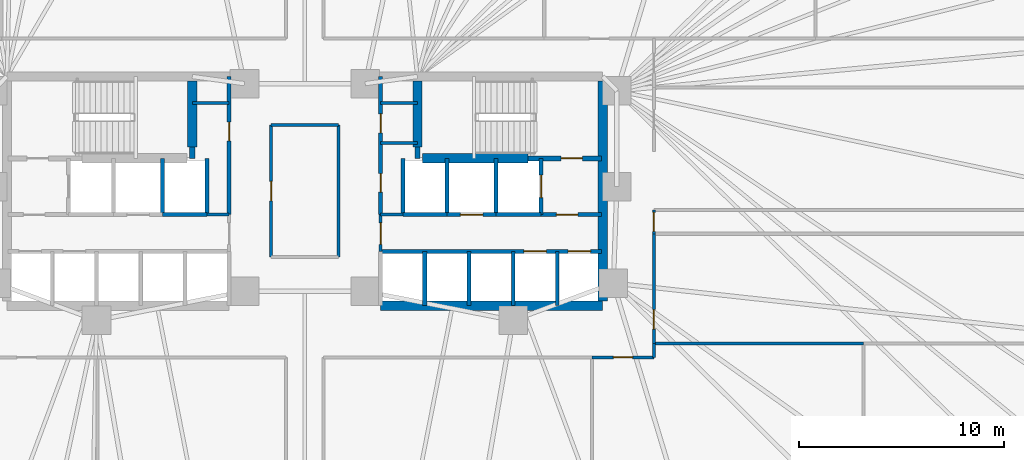
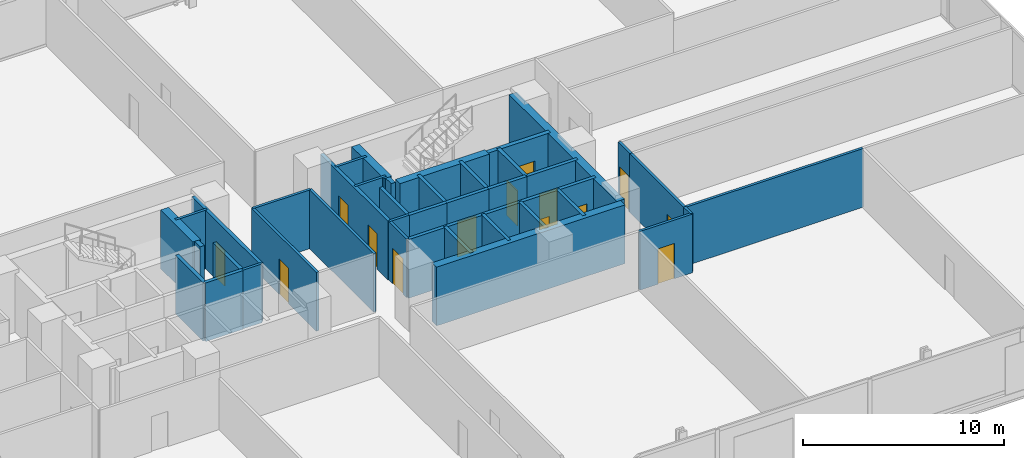
# One storey, part 13 of 17: 40 walls, 14 doors, 14 openings.
"""IFC4 building model written with IfcOpenShell, lengths in metres."""

import ifcopenshell
import ifcopenshell.guid

model = None  # the IFC model being written
_history = None  # IfcOwnerHistory: only IFC2X3 demands one
_inside = {}  # id of a spatial element -> (the spatial element, [elements in it])
_under = {}  # id of a project, library or spatial element -> (it, [spatial elements below it])
_declared = {}  # id of a project -> (the project, [libraries it declares])
_typed = {}  # id of a type object -> (the type object, [elements of that type])
_made_of = {}  # id of a material, layer set ... -> (it, [elements and type objects made of it])


def new_model(schema):
    """Start an empty IFC model of exactly this schema.

    Asked for "IFC4X3", IfcOpenShell would pick the latest addendum, in which some entities
    have other attributes; the version numbers below select the first issue.
    IFC2X3 requires an IfcOwnerHistory on every rooted entity: one is made here for all.
    """
    global model, _history
    if schema == "IFC4X3":
        model = ifcopenshell.file(schema_version=(4, 3, 0, 0))
    else:
        model = ifcopenshell.file(schema=schema)
    _inside.clear()
    _under.clear()
    _declared.clear()
    _typed.clear()
    _made_of.clear()
    _history = None
    if model.schema == "IFC2X3":
        org = make("IfcOrganization", Name="unknown")
        user = make(
            "IfcPersonAndOrganization",
            ThePerson=make("IfcPerson", FamilyName="unknown"),
            TheOrganization=org,
        )
        app = make(
            "IfcApplication",
            ApplicationDeveloper=org,
            Version="unknown",
            ApplicationFullName="unknown",
            ApplicationIdentifier="unknown",
        )
        _history = make(
            "IfcOwnerHistory",
            OwningUser=user,
            OwningApplication=app,
            ChangeAction="ADDED",
            CreationDate=0,
        )
    return model


def make(cls, **values):
    """One entity of the class cls with the attributes given. An attribute that is None is left unset."""
    return model.create_entity(
        cls, **{name: value for name, value in values.items() if value is not None}
    )


def rooted(cls, **values):
    """An entity with a GlobalId (a new one), such as an element, a storey or a relation."""
    return make(cls, GlobalId=ifcopenshell.guid.new(), OwnerHistory=_history, **values)


def si_unit(unit_type, name, prefix=None):
    """IfcSIUnit, for example si_unit("LENGTHUNIT", "METRE", prefix="MILLI")."""
    return make("IfcSIUnit", UnitType=unit_type, Prefix=prefix, Name=name)


def assignment(units):
    """IfcUnitAssignment: the units of a project."""
    return None if units is None else make("IfcUnitAssignment", Units=units)


def point(xyz):
    """IfcCartesianPoint."""
    return None if xyz is None else make("IfcCartesianPoint", Coordinates=xyz)


def direction(xyz):
    """IfcDirection."""
    return None if xyz is None else make("IfcDirection", DirectionRatios=xyz)


def frame(location, z_axis=None, x_axis=None):
    """IfcAxis2Placement3D, a coordinate frame: its origin and axes. An axis left out is left unset."""
    return make(
        "IfcAxis2Placement3D",
        Location=point(location),
        Axis=direction(z_axis),
        RefDirection=direction(x_axis),
    )


def frame_2d(location, x_axis=None):
    """IfcAxis2Placement2D, a coordinate frame in the plane: its origin and x axis."""
    return make(
        "IfcAxis2Placement2D", Location=point(location), RefDirection=direction(x_axis)
    )


def origin():
    """The frame at (0, 0, 0) with its axes left unset."""
    return frame((0.0, 0.0, 0.0))


def place(relative_to, where):
    """IfcLocalPlacement: puts the frame where relative to a parent placement (None: the world)."""
    return make(
        "IfcLocalPlacement", PlacementRelTo=relative_to, RelativePlacement=where
    )


def context(
    kind, dimensions, precision=None, world=None, true_north=None, identifier=None
):
    """IfcGeometricRepresentationContext, for example the 3D "Model" context."""
    return make(
        "IfcGeometricRepresentationContext",
        ContextIdentifier=identifier,
        ContextType=kind,
        CoordinateSpaceDimension=dimensions,
        Precision=precision,
        WorldCoordinateSystem=world,
        TrueNorth=true_north,
    )


def subcontext(parent, identifier, kind, view, scale=None):
    """IfcGeometricRepresentationSubContext, for example "Body" below "Model"."""
    return make(
        "IfcGeometricRepresentationSubContext",
        ContextIdentifier=identifier,
        ContextType=kind,
        ParentContext=parent,
        TargetScale=scale,
        TargetView=view,
    )


def project(units=None, contexts=None):
    """IfcProject with its units and contexts."""
    return rooted(
        "IfcProject",
        Name="project",
        RepresentationContexts=contexts,
        UnitsInContext=assignment(units),
    )


def spatial(cls, under=None, at=None, **own):
    """A site, building, storey or space (cls), placed at a placement, below another one or the project."""
    s = rooted(cls, ObjectPlacement=at, **own)
    if under is not None:
        _under.setdefault(under.id(), (under, []))[1].append(s)
    return s


def profile(cls, at=None, kind="AREA", **sizes):
    """A parametric profile (cls). Its sizes go by their IFC names, for example OverallWidth=200.0."""
    return make(cls, ProfileType=kind, Position=at, **sizes)


def rectangle(**sizes):
    """IfcRectangleProfileDef."""
    return profile("IfcRectangleProfileDef", **sizes)


def extrude(swept, where, along, depth):
    """IfcExtrudedAreaSolid: the profile swept, set in the frame where, extruded along a direction by depth."""
    return make(
        "IfcExtrudedAreaSolid",
        SweptArea=swept,
        Position=where,
        ExtrudedDirection=direction(along),
        Depth=depth,
    )


def shape(context_of_items, identifier, shape_type, items):
    """IfcShapeRepresentation: the items that make up one representation, for example the "Body"."""
    return make(
        "IfcShapeRepresentation",
        ContextOfItems=context_of_items,
        RepresentationIdentifier=identifier,
        RepresentationType=shape_type,
        Items=items,
    )


def material(Name=None, Category=None):
    """IfcMaterial."""
    return make("IfcMaterial", Name=Name, Category=Category)


def layer(
    of_material, thickness, ventilated=None, Name=None, Category=None, Priority=None
):
    """IfcMaterialLayer: one layer of a wall or slab, of a material (None: an air gap)."""
    return make(
        "IfcMaterialLayer",
        Material=of_material,
        LayerThickness=thickness,
        IsVentilated=ventilated,
        Name=Name,
        Category=Category,
        Priority=Priority,
    )


def layer_set(layers, Name=None):
    """IfcMaterialLayerSet."""
    return make("IfcMaterialLayerSet", MaterialLayers=layers, LayerSetName=Name)


def made_of(thing, what):
    """Note that an element or type object is made of a material, layer set ...; save() writes the relation."""
    if what is not None:
        _made_of.setdefault(what.id(), (what, []))[1].append(thing)
    return thing


def type_object(cls, material=None, **own):
    """A type object (cls), such as IfcWallType, which elements share."""
    return made_of(rooted(cls, **own), material)


def element(
    cls,
    number,
    at=None,
    inside=None,
    cuts=None,
    type_object=None,
    material=None,
    context=None,
    identifier="Body",
    shape_type=None,
    held_by="IfcProductDefinitionShape",
    body=None,
    shapes=None,
    **own,
):
    """One element of the class cls, such as IfcWall. Its Tag is "e" and its number.

    at: its placement. inside: the storey or other place that contains it. cuts: it is an
    opening in that element (IfcRelVoidsElement). A single representation is given by context,
    identifier, shape_type and body (its items); several are given by shapes. held_by: the class
    of the entity that holds the representations. save() writes the other relations.
    """
    e = rooted(cls, Tag="e%d" % number, ObjectPlacement=at, **own)
    if body is not None:
        shapes = [shape(context, identifier, shape_type, body)]
    if shapes is not None:
        e.Representation = make(held_by, Representations=shapes)
    if inside is not None:
        _inside.setdefault(inside.id(), (inside, []))[1].append(e)
    if cuts is not None:
        rooted(
            "IfcRelVoidsElement", RelatingBuildingElement=cuts, RelatedOpeningElement=e
        )
    if type_object is not None:
        _typed.setdefault(type_object.id(), (type_object, []))[1].append(e)
    return made_of(e, material)


def fill(opening, filler):
    """IfcRelFillsElement: the door or window that sits in an opening."""
    return rooted(
        "IfcRelFillsElement",
        RelatingOpeningElement=opening,
        RelatedBuildingElement=filler,
    )


def aggregate(whole, parts):
    """IfcRelAggregates: a whole, such as a stair, and the parts it consists of."""
    return rooted("IfcRelAggregates", RelatingObject=whole, RelatedObjects=parts)


def save(model, path):
    """Write the relations noted so far, then the file.

    IfcRelAggregates (storeys below a building ...), IfcRelContainedInSpatialStructure (elements
    in a storey), IfcRelDefinesByType, IfcRelAssociatesMaterial and IfcRelDeclares: one each for
    every whole, place, type object, material and project.
    """
    for whole, parts in _under.values():
        aggregate(whole, parts)
    for where, things in _inside.values():
        rooted(
            "IfcRelContainedInSpatialStructure",
            RelatedElements=things,
            RelatingStructure=where,
        )
    for kind, things in _typed.values():
        rooted("IfcRelDefinesByType", RelatedObjects=things, RelatingType=kind)
    for what, things in _made_of.values():
        rooted("IfcRelAssociatesMaterial", RelatedObjects=things, RelatingMaterial=what)
    for by, libraries in _declared.values():
        rooted("IfcRelDeclares", RelatingContext=by, RelatedDefinitions=libraries)
    model.write(path)


model = new_model("IFC4")

# Units and contexts
model_context = context("Model", 3, precision=1e-05, world=origin(), true_north=direction((0.0, 1.0)))
body_context = subcontext(model_context, "Body", "Model", "MODEL_VIEW")
ifc_project = project(units=[si_unit("LENGTHUNIT", "METRE"), si_unit("AREAUNIT", "SQUARE_METRE"), si_unit("VOLUMEUNIT", "CUBIC_METRE"), si_unit("PLANEANGLEUNIT", "RADIAN"), si_unit("MASSUNIT", "GRAM", prefix="KILO")], contexts=[model_context])

# Site, building, storey
site_placement = place(None, origin())
site = spatial("IfcSite", under=ifc_project, at=site_placement, CompositionType="ELEMENT")
building_placement = place(site_placement, origin())
building = spatial("IfcBuilding", under=site, at=building_placement, Name="Menara Jurai Vektor", CompositionType="ELEMENT")
storey_placement = place(building_placement, frame((0.0, 0.0, 71.199951171875)))
storey = spatial("IfcBuildingStorey", under=building, at=storey_placement, Name="L17", CompositionType="ELEMENT", Elevation=71.199951171875)

# Wall
ifc_material_1 = material(Name="Concrete C40/50", Category="concrete")
ifc_layer_1 = layer(ifc_material_1, 0.25)
ifc_layer_set_1 = layer_set([ifc_layer_1], Name="Concrete C40/50")
wall_type_1 = type_object("IfcWallType", Name="INT-WALL-CORE-250", PredefinedType="STANDARD", material=ifc_layer_set_1)
wall_1_placement = place(storey_placement, frame((-5.5, 1.60009765625, 0.0), z_axis=(0.0, 0.0, 1.0), x_axis=(0.0, 1.0, 0.0)))
element("IfcWall", 1, at=wall_1_placement, inside=storey, type_object=wall_type_1, Name="Interior Wall IW-250 L17", PredefinedType="STANDARD", context=body_context, shape_type="SweptSolid", body=[
    extrude(rectangle(XDim=0.5498046875, YDim=0.25, at=frame_2d((0.27490234375, 0.0))), origin(), (0.0, 0.0, 1.0), 3.574951171875),
])

# Wall, opening, door
wall_2_placement = place(storey_placement, frame((10.89990234375, 1.60009765625, 0.0), z_axis=(0.0, 0.0, 1.0), x_axis=(1.0, 0.0, 0.0)))
wall_2 = element("IfcWall", 2, at=wall_2_placement, inside=storey, type_object=wall_type_1, Name="Interior Wall IW-250 L17", PredefinedType="STANDARD", context=body_context, shape_type="SweptSolid", body=[
    extrude(rectangle(XDim=3.60009765625, YDim=0.25, at=frame_2d((1.800048828125, 0.0))), origin(), (0.0, 0.0, 1.0), 3.574951171875),
])
opening_1_placement = place(wall_2_placement, frame((1.6201171875, 0.0, 0.0)))
opening_1 = element("IfcOpeningElement", 3, at=opening_1_placement, cuts=wall_2, Name="Opening D-L17-ST2", PredefinedType="OPENING", context=body_context, shape_type="SweptSolid", body=[
    extrude(rectangle(XDim=1.050048828125, YDim=2.14990234375, at=frame_2d((0.52490234375, 1.074951171875))), frame((0.0, 0.135009765625, 0.0), z_axis=(0.0, -1.0, 0.0), x_axis=(1.0, 0.0, 0.0)), (0.0, 0.0, 1.0), 0.27001953125),
])
ifc_material_2 = material(Name="Fire-Rated Steel Door", Category="steel")
door_type_1 = type_object("IfcDoorType", Name="DR-STAIR-1050", OperationType="NOTDEFINED", PredefinedType="DOOR", material=ifc_material_2)
door_1_placement = place(opening_1_placement, origin())
door_1 = element("IfcDoor", 4, at=door_1_placement, inside=storey, type_object=door_type_1, Name="Exit Stair ST2 Door L17", OperationType="SINGLE_SWING_LEFT", OverallHeight=2.14990234375, OverallWidth=1.050048828125, PredefinedType="DOOR", context=body_context, shape_type="SweptSolid", body=[
    extrude(rectangle(XDim=1.050048828125, YDim=2.14990234375, at=frame_2d((0.52490234375, 1.074951171875))), frame((0.0, 0.02490234375, 0.0), z_axis=(0.0, -1.0, 0.0), x_axis=(1.0, 0.0, 0.0)), (0.0, 0.0, 1.0), 0.050048828125),
])
fill(opening_1, door_1)

# Wall
wall_3_placement = place(storey_placement, frame((5.5, 1.60009765625, 0.0), z_axis=(0.0, 0.0, 1.0), x_axis=(0.0, 1.0, 0.0)))
element("IfcWall", 5, at=wall_3_placement, inside=storey, type_object=wall_type_1, Name="Interior Wall IW-250 L17", PredefinedType="STANDARD", context=body_context, shape_type="SweptSolid", body=[
    extrude(rectangle(XDim=0.5498046875, YDim=0.25, at=frame_2d((0.27490234375, 0.0))), origin(), (0.0, 0.0, 1.0), 3.574951171875),
])

# Wall, opening, door
wall_4_placement = place(storey_placement, frame((11.550048828125, -1.14990234375, 0.0), z_axis=(0.0, 0.0, 1.0), x_axis=(0.0, 1.0, 0.0)))
wall_4 = element("IfcWall", 6, at=wall_4_placement, inside=storey, type_object=wall_type_1, Name="Interior Wall IW-250 L17", PredefinedType="STANDARD", context=body_context, shape_type="SweptSolid", body=[
    extrude(rectangle(XDim=2.75, YDim=0.199951171875, at=frame_2d((1.375, 0.0))), origin(), (0.0, 0.0, 1.0), 3.574951171875),
])
opening_2_placement = place(wall_4_placement, frame((0.824951171875, 0.0, 0.0)))
opening_2 = element("IfcOpeningElement", 7, at=opening_2_placement, cuts=wall_4, Name="Opening LD-L17-FL2", PredefinedType="OPENING", context=body_context, shape_type="SweptSolid", body=[
    extrude(rectangle(XDim=1.10009765625, YDim=2.14990234375, at=frame_2d((0.550048828125, 1.074951171875))), frame((0.0, 0.10986328125, 0.0), z_axis=(0.0, -1.0, 0.0), x_axis=(1.0, 0.0, 0.0)), (0.0, 0.0, 1.0), 0.219970703125),
])
ifc_material_3 = material(Name="Stainless Steel Sliding Lift Landing Door", Category="steel")
door_type_2 = type_object("IfcDoorType", Name="DR-LIFT-FIRE-1100", OperationType="NOTDEFINED", PredefinedType="DOOR", material=ifc_material_3)
door_2_placement = place(opening_2_placement, origin())
door_2 = element("IfcDoor", 8, at=door_2_placement, inside=storey, type_object=door_type_2, Name="Lift Landing Door FL2 L17", OperationType="SLIDING_TO_RIGHT", OverallHeight=2.14990234375, OverallWidth=1.10009765625, PredefinedType="DOOR", context=body_context, shape_type="SweptSolid", body=[
    extrude(rectangle(XDim=1.10009765625, YDim=2.14990234375, at=frame_2d((0.550048828125, 1.074951171875))), frame((0.0, 0.02490234375, 0.0), z_axis=(0.0, -1.0, 0.0), x_axis=(1.0, 0.0, 0.0)), (0.0, 0.0, 1.0), 0.050048828125),
])
fill(opening_2, door_2)

# Wall
wall_5_placement = place(storey_placement, frame((9.35009765625, -1.14990234375, 0.0), z_axis=(0.0, 0.0, 1.0), x_axis=(0.0, 1.0, 0.0)))
element("IfcWall", 9, at=wall_5_placement, inside=storey, type_object=wall_type_1, Name="Interior Wall IW-250 L17", PredefinedType="STANDARD", context=body_context, shape_type="SweptSolid", body=[
    extrude(rectangle(XDim=2.75, YDim=0.199951171875, at=frame_2d((1.375, 0.0))), origin(), (0.0, 0.0, 1.0), 3.574951171875),
])

# Wall, opening, door
wall_6_placement = place(storey_placement, frame((11.550048828125, -1.14990234375, 0.0), z_axis=(0.0, 0.0, 1.0), x_axis=(1.0, 0.0, 0.0)))
wall_6 = element("IfcWall", 10, at=wall_6_placement, inside=storey, type_object=wall_type_1, Name="Interior Wall IW-250 L17", PredefinedType="STANDARD", context=body_context, shape_type="SweptSolid", body=[
    extrude(rectangle(XDim=2.949951171875, YDim=0.199951171875, at=frame_2d((1.47509765625, 0.0))), origin(), (0.0, 0.0, 1.0), 3.574951171875),
])
opening_3_placement = place(wall_6_placement, frame((0.75, 0.0, 0.0)))
opening_3 = element("IfcOpeningElement", 11, at=opening_3_placement, cuts=wall_6, Name="Opening D-L17-FFE", PredefinedType="OPENING", context=body_context, shape_type="SweptSolid", body=[
    extrude(rectangle(XDim=1.050048828125, YDim=2.179931640625, at=frame_2d((0.52490234375, 1.08984375))), frame((0.0, 0.10986328125, 0.0), z_axis=(0.0, -1.0, 0.0), x_axis=(1.0, 0.0, 0.0)), (0.0, 0.0, 1.0), 0.219970703125),
])
ifc_material_4 = material(Name="Fire-Rated Timber Door", Category="wood")
door_type_3 = type_object("IfcDoorType", Name="DR-LOBBY-1050", OperationType="NOTDEFINED", PredefinedType="DOOR", material=ifc_material_4)
door_3_placement = place(opening_3_placement, origin())
door_3 = element("IfcDoor", 12, at=door_3_placement, inside=storey, type_object=door_type_3, Name="Fire Lift Lobby Door E L17", OperationType="SINGLE_SWING_LEFT", OverallHeight=2.179931640625, OverallWidth=1.050048828125, PredefinedType="DOOR", context=body_context, shape_type="SweptSolid", body=[
    extrude(rectangle(XDim=1.050048828125, YDim=2.179931640625, at=frame_2d((0.52490234375, 1.08984375))), frame((0.0, 0.02490234375, 0.0), z_axis=(0.0, -1.0, 0.0), x_axis=(1.0, 0.0, 0.0)), (0.0, 0.0, 1.0), 0.050048828125),
])
fill(opening_3, door_3)

# Walls
wall_7_placement = place(storey_placement, frame((9.35009765625, -1.14990234375, 0.0), z_axis=(0.0, 0.0, 1.0), x_axis=(1.0, 0.0, 0.0)))
element("IfcWall", 13, at=wall_7_placement, inside=storey, type_object=wall_type_1, Name="Interior Wall IW-250 L17", PredefinedType="STANDARD", context=body_context, shape_type="SweptSolid", body=[
    extrude(rectangle(XDim=2.199951171875, YDim=0.199951171875, at=frame_2d((1.10009765625, 0.0))), origin(), (0.0, 0.0, 1.0), 3.574951171875),
])
ifc_material_5 = material(Name="Gypsum Fireboard Partition", Category="gypsum")
ifc_layer_2 = layer(ifc_material_5, 0.14990234375)
ifc_layer_set_2 = layer_set([ifc_layer_2], Name="Gypsum Fireboard Partition")
wall_type_2 = type_object("IfcWallType", Name="INT-WALL-CORR-150", PredefinedType="PARTITIONING", material=ifc_layer_set_2)
wall_8_placement = place(storey_placement, frame((-4.7900390625, -1.14990234375, 0.0), z_axis=(0.0, 0.0, 1.0), x_axis=(1.0, 0.0, 0.0)))
element("IfcWall", 14, at=wall_8_placement, inside=storey, type_object=wall_type_2, Name="Interior Wall IW-150 L17", PredefinedType="PARTITIONING", context=body_context, shape_type="SweptSolid", body=[
    extrude(rectangle(XDim=1.090087890625, YDim=0.14990234375, at=frame_2d((0.544921875, 0.0))), origin(), (0.0, 0.0, 1.0), 3.574951171875),
])

# Wall, opening, door
wall_9_placement = place(storey_placement, frame((3.699951171875, -2.949951171875, 0.0), z_axis=(0.0, 0.0, 1.0), x_axis=(0.0, 1.0, 0.0)))
wall_9 = element("IfcWall", 15, at=wall_9_placement, inside=storey, type_object=wall_type_2, Name="Interior Wall IW-150 L17", PredefinedType="PARTITIONING", context=body_context, shape_type="SweptSolid", body=[
    extrude(rectangle(XDim=1.800048828125, YDim=0.14990234375, at=frame_2d((0.89990234375, 0.0))), origin(), (0.0, 0.0, 1.0), 3.574951171875),
])
opening_4_placement = place(wall_9_placement, frame((0.35009765625, 0.0, 0.0)))
opening_4 = element("IfcOpeningElement", 16, at=opening_4_placement, cuts=wall_9, Name="Opening D-L17-LLE", PredefinedType="OPENING", context=body_context, shape_type="SweptSolid", body=[
    extrude(rectangle(XDim=1.050048828125, YDim=2.179931640625, at=frame_2d((0.52490234375, 1.08984375))), frame((0.0, 0.0849609375, 0.0), z_axis=(0.0, -1.0, 0.0), x_axis=(1.0, 0.0, 0.0)), (0.0, 0.0, 1.0), 0.169921875),
])
door_4_placement = place(opening_4_placement, frame((1.050048828125, 0.0, 0.0), z_axis=(0.0, 0.0, 1.0), x_axis=(-1.0, 0.0, 0.0)))
door_4 = element("IfcDoor", 17, at=door_4_placement, inside=storey, type_object=door_type_3, Name="Lift Lobby Corridor Door E L17", OperationType="SINGLE_SWING_RIGHT", OverallHeight=2.179931640625, OverallWidth=1.050048828125, PredefinedType="DOOR", context=body_context, shape_type="SweptSolid", body=[
    extrude(rectangle(XDim=1.050048828125, YDim=2.179931640625, at=frame_2d((0.52490234375, 1.08984375))), frame((0.0, 0.02490234375, 0.0), z_axis=(0.0, -1.0, 0.0), x_axis=(1.0, 0.0, 0.0)), (0.0, 0.0, 1.0), 0.050048828125),
])
fill(opening_4, door_4)

# Walls
wall_10_placement = place(storey_placement, frame((3.699951171875, -1.14990234375, 0.0), z_axis=(0.0, 0.0, 1.0), x_axis=(1.0, 0.0, 0.0)))
element("IfcWall", 18, at=wall_10_placement, inside=storey, type_object=wall_type_2, Name="Interior Wall IW-150 L17", PredefinedType="PARTITIONING", context=body_context, shape_type="SweptSolid", body=[
    extrude(rectangle(XDim=1.090087890625, YDim=0.14990234375, at=frame_2d((0.544921875, 0.0))), origin(), (0.0, 0.0, 1.0), 3.574951171875),
])
for number, where, z_axis, x_axis, name in (
    (19, (-5.5, 4.300048828125, 0.0), (0.0, 0.0, 1.0), (1.0, 0.0, 0.0), "Interior Wall IW-150 L17"),
    (20, (3.699951171875, 4.300048828125, 0.0), (0.0, 0.0, 1.0), (1.0, 0.0, 0.0), "Interior Wall IW-150 L17"),
    (21, (3.699951171875, 2.35009765625, 0.0), (0.0, 0.0, 1.0), (1.0, 0.0, 0.0), "Interior Wall IW-150 L17"),
):
    element("IfcWall", number, at=place(storey_placement, frame(where, z_axis=z_axis, x_axis=x_axis)), inside=storey, type_object=wall_type_2, Name=name, PredefinedType="PARTITIONING", context=body_context, shape_type="SweptSolid", body=[
        extrude(rectangle(XDim=1.800048828125, YDim=0.14990234375, at=frame_2d((0.89990234375, 0.0))), origin(), (0.0, 0.0, 1.0), 3.574951171875),
    ])

# Wall, opening, door
wall_11_placement = place(storey_placement, frame((-1.64990234375, -3.22998046875, 0.0), z_axis=(0.0, 0.0, 1.0), x_axis=(0.0, 1.0, 0.0)))
wall_11 = element("IfcWall", 22, at=wall_11_placement, inside=storey, type_object=wall_type_2, Name="Interior Wall IW-150 L17", PredefinedType="PARTITIONING", context=body_context, shape_type="SweptSolid", body=[
    extrude(rectangle(XDim=6.4599609375, YDim=0.14990234375, at=frame_2d((3.22998046875, 0.0))), origin(), (0.0, 0.0, 1.0), 3.574951171875),
])
opening_5_placement = place(wall_11_placement, frame((2.7548828125, 0.0, 0.0)))
opening_5 = element("IfcOpeningElement", 23, at=opening_5_placement, cuts=wall_11, Name="Opening D17-04", PredefinedType="OPENING", context=body_context, shape_type="SweptSolid", body=[
    extrude(rectangle(XDim=0.949951171875, YDim=2.14990234375, at=frame_2d((0.47509765625, 1.074951171875))), frame((0.0, 0.0849609375, 0.0), z_axis=(0.0, -1.0, 0.0), x_axis=(1.0, 0.0, 0.0)), (0.0, 0.0, 1.0), 0.169921875),
])
ifc_material_6 = material(Name="Solid Core Timber Fire Door", Category="wood")
door_type_4 = type_object("IfcDoorType", Name="DR-ENTRY-950", OperationType="NOTDEFINED", PredefinedType="DOOR", material=ifc_material_6)
door_5_placement = place(opening_5_placement, origin())
door_5 = element("IfcDoor", 24, at=door_5_placement, inside=storey, type_object=door_type_4, Name="Interior Door D17-04", OperationType="SINGLE_SWING_LEFT", OverallHeight=2.14990234375, OverallWidth=0.949951171875, PredefinedType="DOOR", context=body_context, shape_type="SweptSolid", body=[
    extrude(rectangle(XDim=0.949951171875, YDim=2.14990234375, at=frame_2d((0.47509765625, 1.074951171875))), frame((0.0, 0.02490234375, 0.0), z_axis=(0.0, -1.0, 0.0), x_axis=(1.0, 0.0, 0.0)), (0.0, 0.0, 1.0), 0.050048828125),
])
fill(opening_5, door_5)

# Walls
wall_12_placement = place(storey_placement, frame((-1.64990234375, 3.22998046875, 0.0), z_axis=(0.0, 0.0, 1.0), x_axis=(1.0, 0.0, 0.0)))
element("IfcWall", 25, at=wall_12_placement, inside=storey, type_object=wall_type_2, Name="Interior Wall IW-150 L17", PredefinedType="PARTITIONING", context=body_context, shape_type="SweptSolid", body=[
    extrude(rectangle(XDim=3.2998046875, YDim=0.14990234375, at=frame_2d((1.64990234375, 0.0))), origin(), (0.0, 0.0, 1.0), 3.574951171875),
])
wall_13_placement = place(storey_placement, frame((1.64990234375, -3.22998046875, 0.0), z_axis=(0.0, 0.0, 1.0), x_axis=(0.0, 1.0, 0.0)))
element("IfcWall", 26, at=wall_13_placement, inside=storey, type_object=wall_type_2, Name="Interior Wall IW-150 L17", PredefinedType="PARTITIONING", context=body_context, shape_type="SweptSolid", body=[
    extrude(rectangle(XDim=6.4599609375, YDim=0.14990234375, at=frame_2d((3.22998046875, 0.0))), origin(), (0.0, 0.0, 1.0), 3.574951171875),
])

# Wall, opening, door
wall_14_placement = place(storey_placement, frame((14.0400390625, -8.1298828125, 0.0), z_axis=(0.0, 0.0, 1.0), x_axis=(1.0, 0.0, 0.0)))
wall_14 = element("IfcWall", 27, at=wall_14_placement, inside=storey, type_object=wall_type_2, Name="Interior Wall IW-150 L17", PredefinedType="PARTITIONING", context=body_context, shape_type="SweptSolid", body=[
    extrude(rectangle(XDim=3.01904296875, YDim=0.14990234375, at=frame_2d((1.509521484375, 0.0))), origin(), (0.0, 0.0, 1.0), 3.574951171875),
])
opening_6_placement = place(wall_14_placement, frame((1.034423828125, 0.0, 0.0)))
opening_6 = element("IfcOpeningElement", 28, at=opening_6_placement, cuts=wall_14, Name="Opening D17-12", PredefinedType="OPENING", context=body_context, shape_type="SweptSolid", body=[
    extrude(rectangle(XDim=0.949951171875, YDim=2.14990234375, at=frame_2d((0.47509765625, 1.074951171875))), frame((0.0, 0.0849609375, 0.0), z_axis=(0.0, -1.0, 0.0), x_axis=(1.0, 0.0, 0.0)), (0.0, 0.0, 1.0), 0.169921875),
])
door_6_placement = place(opening_6_placement, origin())
door_6 = element("IfcDoor", 29, at=door_6_placement, inside=storey, type_object=door_type_4, Name="Interior Door D17-12", OperationType="SINGLE_SWING_LEFT", OverallHeight=2.14990234375, OverallWidth=0.949951171875, PredefinedType="DOOR", context=body_context, shape_type="SweptSolid", body=[
    extrude(rectangle(XDim=0.949951171875, YDim=2.14990234375, at=frame_2d((0.47509765625, 1.074951171875))), frame((0.0, 0.02490234375, 0.0), z_axis=(0.0, -1.0, 0.0), x_axis=(1.0, 0.0, 0.0)), (0.0, 0.0, 1.0), 0.050048828125),
])
fill(opening_6, door_6)

# Wall
wall_15_placement = place(storey_placement, frame((17.05908203125, -8.1298828125, 0.0), z_axis=(0.0, 0.0, 1.0), x_axis=(0.0, 1.0, 0.0)))
element("IfcWall", 30, at=wall_15_placement, inside=storey, type_object=wall_type_2, Name="Interior Wall IW-150 L17", PredefinedType="PARTITIONING", context=body_context, shape_type="SweptSolid", body=[
    extrude(rectangle(XDim=0.679931640625, YDim=0.14990234375, at=frame_2d((0.33984375, 0.0))), origin(), (0.0, 0.0, 1.0), 3.574951171875),
])

# Wall, opening, door
wall_16_placement = place(storey_placement, frame((17.05908203125, -7.449951171875, 0.0), z_axis=(0.0, 0.0, 1.0), x_axis=(0.0, 1.0, 0.0)))
wall_16 = element("IfcWall", 31, at=wall_16_placement, inside=storey, type_object=wall_type_2, Name="Interior Wall IW-150 L17", PredefinedType="PARTITIONING", context=body_context, shape_type="SweptSolid", body=[
    extrude(rectangle(XDim=5.364013671875, YDim=0.14990234375, at=frame_2d((2.68212890625, 0.0))), origin(), (0.0, 0.0, 1.0), 3.574951171875),
])
opening_7_placement = place(wall_16_placement, frame((0.705078125, 0.0, 0.0)))
opening_7 = element("IfcOpeningElement", 32, at=opening_7_placement, cuts=wall_16, Name="Opening D17-16", PredefinedType="OPENING", context=body_context, shape_type="SweptSolid", body=[
    extrude(rectangle(XDim=0.949951171875, YDim=2.14990234375, at=frame_2d((0.47509765625, 1.074951171875))), frame((0.0, 0.0849609375, 0.0), z_axis=(0.0, -1.0, 0.0), x_axis=(1.0, 0.0, 0.0)), (0.0, 0.0, 1.0), 0.169921875),
])
door_7_placement = place(opening_7_placement, origin())
door_7 = element("IfcDoor", 33, at=door_7_placement, inside=storey, type_object=door_type_4, Name="Interior Door D17-16", OperationType="SINGLE_SWING_LEFT", OverallHeight=2.14990234375, OverallWidth=0.949951171875, PredefinedType="DOOR", context=body_context, shape_type="SweptSolid", body=[
    extrude(rectangle(XDim=0.949951171875, YDim=2.14990234375, at=frame_2d((0.47509765625, 1.074951171875))), frame((0.0, 0.02490234375, 0.0), z_axis=(0.0, -1.0, 0.0), x_axis=(1.0, 0.0, 0.0)), (0.0, 0.0, 1.0), 0.050048828125),
])
fill(opening_7, door_7)

wall_17_placement = place(storey_placement, frame((17.05908203125, -2.0859375, 0.0), z_axis=(0.0, 0.0, 1.0), x_axis=(0.0, 1.0, 0.0)))
wall_17 = element("IfcWall", 34, at=wall_17_placement, inside=storey, type_object=wall_type_2, Name="Interior Wall IW-150 L17", PredefinedType="PARTITIONING", context=body_context, shape_type="SweptSolid", body=[
    extrude(rectangle(XDim=1.166015625, YDim=0.14990234375, at=frame_2d((0.5830078125, 0.0))), origin(), (0.0, 0.0, 1.0), 3.574951171875),
])
opening_8_placement = place(wall_17_placement, frame((0.1201171875, 0.0, 0.0)))
opening_8 = element("IfcOpeningElement", 35, at=opening_8_placement, cuts=wall_17, Name="Opening D17-17", PredefinedType="OPENING", context=body_context, shape_type="SweptSolid", body=[
    extrude(rectangle(XDim=0.926025390625, YDim=2.14990234375, at=frame_2d((0.462890625, 1.074951171875))), frame((0.0, 0.0849609375, 0.0), z_axis=(0.0, -1.0, 0.0), x_axis=(1.0, 0.0, 0.0)), (0.0, 0.0, 1.0), 0.169921875),
])
door_8_placement = place(opening_8_placement, origin())
door_8 = element("IfcDoor", 36, at=door_8_placement, inside=storey, type_object=door_type_4, Name="Interior Door D17-17", OperationType="SINGLE_SWING_RIGHT", OverallHeight=2.14990234375, OverallWidth=0.926025390625, PredefinedType="DOOR", context=body_context, shape_type="SweptSolid", body=[
    extrude(rectangle(XDim=0.926025390625, YDim=2.14990234375, at=frame_2d((0.462890625, 1.074951171875))), frame((0.0, 0.02490234375, 0.0), z_axis=(0.0, -1.0, 0.0), x_axis=(1.0, 0.0, 0.0)), (0.0, 0.0, 1.0), 0.050048828125),
])
fill(opening_8, door_8)

# Wall
wall_18_placement = place(storey_placement, frame((17.05908203125, -7.449951171875, 0.0), z_axis=(0.0, 0.0, 1.0), x_axis=(1.0, 0.0, 0.0)))
element("IfcWall", 37, at=wall_18_placement, inside=storey, type_object=wall_type_2, Name="Interior Wall IW-150 L17", PredefinedType="PARTITIONING", context=body_context, shape_type="SweptSolid", body=[
    extrude(rectangle(XDim=10.240966796875, YDim=0.14990234375, at=frame_2d((5.12060546875, 0.0))), origin(), (0.0, 0.0, 1.0), 3.574951171875),
])

# Wall, opening, door
ifc_layer_3 = layer(ifc_material_1, 0.199951171875)
ifc_layer_set_3 = layer_set([ifc_layer_3], Name="Concrete C40/50")
wall_type_3 = type_object("IfcWallType", Name="INT-WALL-SHAFT-200", PredefinedType="STANDARD", material=ifc_layer_set_3)
wall_19_placement = place(storey_placement, frame((-3.699951171875, -1.14990234375, 0.0), z_axis=(0.0, 0.0, 1.0), x_axis=(0.0, 1.0, 0.0)))
wall_19 = element("IfcWall", 38, at=wall_19_placement, inside=storey, type_object=wall_type_3, Name="Interior Wall IW-200 L17", PredefinedType="STANDARD", context=body_context, shape_type="SweptSolid", body=[
    extrude(rectangle(XDim=6.75, YDim=0.199951171875, at=frame_2d((3.375, 0.0))), origin(), (0.0, 0.0, 1.0), 3.574951171875),
])
opening_9_placement = place(wall_19_placement, frame((3.60009765625, 0.0, 0.0)))
opening_9 = element("IfcOpeningElement", 39, at=opening_9_placement, cuts=wall_19, Name="Opening D17-01", PredefinedType="OPENING", context=body_context, shape_type="SweptSolid", body=[
    extrude(rectangle(XDim=0.919921875, YDim=2.14990234375, at=frame_2d((0.4599609375, 1.074951171875))), frame((0.0, 0.10986328125, 0.0), z_axis=(0.0, -1.0, 0.0), x_axis=(1.0, 0.0, 0.0)), (0.0, 0.0, 1.0), 0.219970703125),
])
door_9_placement = place(opening_9_placement, origin())
door_9 = element("IfcDoor", 40, at=door_9_placement, inside=storey, type_object=door_type_4, Name="Interior Door D17-01", OperationType="SINGLE_SWING_LEFT", OverallHeight=2.14990234375, OverallWidth=0.919921875, PredefinedType="DOOR", context=body_context, shape_type="SweptSolid", body=[
    extrude(rectangle(XDim=0.919921875, YDim=2.14990234375, at=frame_2d((0.4599609375, 1.074951171875))), frame((0.0, 0.02490234375, 0.0), z_axis=(0.0, -1.0, 0.0), x_axis=(1.0, 0.0, 0.0)), (0.0, 0.0, 1.0), 0.050048828125),
])
fill(opening_9, door_9)

# Walls
for number, where, z_axis, x_axis, name in (
    (41, (-6.949951171875, -1.14990234375, 0.0), (0.0, 0.0, 1.0), (0.0, 1.0, 0.0), "Interior Wall IW-200 L17"),
    (42, (-4.7900390625, -1.14990234375, 0.0), (0.0, 0.0, 1.0), (0.0, 1.0, 0.0), "Interior Wall IW-200 L17"),
):
    element("IfcWall", number, at=place(storey_placement, frame(where, z_axis=z_axis, x_axis=x_axis)), inside=storey, type_object=wall_type_3, Name=name, PredefinedType="STANDARD", context=body_context, shape_type="SweptSolid", body=[
        extrude(rectangle(XDim=2.75, YDim=0.199951171875, at=frame_2d((1.375, 0.0))), origin(), (0.0, 0.0, 1.0), 3.574951171875),
    ])
wall_20_placement = place(storey_placement, frame((-6.949951171875, -1.14990234375, 0.0), z_axis=(0.0, 0.0, 1.0), x_axis=(1.0, 0.0, 0.0)))
element("IfcWall", 43, at=wall_20_placement, inside=storey, type_object=wall_type_3, Name="Interior Wall IW-200 L17", PredefinedType="STANDARD", context=body_context, shape_type="SweptSolid", body=[
    extrude(rectangle(XDim=2.159912109375, YDim=0.199951171875, at=frame_2d((1.080078125, 0.0))), origin(), (0.0, 0.0, 1.0), 3.574951171875),
])

# Wall, openings, doors
wall_21_placement = place(storey_placement, frame((3.699951171875, -1.14990234375, 0.0), z_axis=(0.0, 0.0, 1.0), x_axis=(0.0, 1.0, 0.0)))
wall_21 = element("IfcWall", 44, at=wall_21_placement, inside=storey, type_object=wall_type_3, Name="Interior Wall IW-200 L17", PredefinedType="STANDARD", context=body_context, shape_type="SweptSolid", body=[
    extrude(rectangle(XDim=6.75, YDim=0.199951171875, at=frame_2d((3.375, 0.0))), origin(), (0.0, 0.0, 1.0), 3.574951171875),
])
opening_10_placement = place(wall_21_placement, frame((1.10009765625, 0.0, 0.0)))
opening_10 = element("IfcOpeningElement", 45, at=opening_10_placement, cuts=wall_21, Name="Opening D17-02", PredefinedType="OPENING", context=body_context, shape_type="SweptSolid", body=[
    extrude(rectangle(XDim=0.89990234375, YDim=2.14990234375, at=frame_2d((0.449951171875, 1.074951171875))), frame((0.0, 0.10986328125, 0.0), z_axis=(0.0, -1.0, 0.0), x_axis=(1.0, 0.0, 0.0)), (0.0, 0.0, 1.0), 0.219970703125),
])
opening_11_placement = place(wall_21_placement, frame((4.0, 0.0, 0.0)))
opening_11 = element("IfcOpeningElement", 46, at=opening_11_placement, cuts=wall_21, Name="Opening D17-03", PredefinedType="OPENING", context=body_context, shape_type="SweptSolid", body=[
    extrude(rectangle(XDim=0.919921875, YDim=2.14990234375, at=frame_2d((0.4599609375, 1.074951171875))), frame((0.0, 0.10986328125, 0.0), z_axis=(0.0, -1.0, 0.0), x_axis=(1.0, 0.0, 0.0)), (0.0, 0.0, 1.0), 0.219970703125),
])
door_10_placement = place(opening_10_placement, origin())
door_10 = element("IfcDoor", 47, at=door_10_placement, inside=storey, type_object=door_type_4, Name="Interior Door D17-02", OperationType="SINGLE_SWING_RIGHT", OverallHeight=2.14990234375, OverallWidth=0.89990234375, PredefinedType="DOOR", context=body_context, shape_type="SweptSolid", body=[
    extrude(rectangle(XDim=0.89990234375, YDim=2.14990234375, at=frame_2d((0.449951171875, 1.074951171875))), frame((0.0, 0.02490234375, 0.0), z_axis=(0.0, -1.0, 0.0), x_axis=(1.0, 0.0, 0.0)), (0.0, 0.0, 1.0), 0.050048828125),
])
fill(opening_10, door_10)
door_11_placement = place(opening_11_placement, origin())
door_11 = element("IfcDoor", 48, at=door_11_placement, inside=storey, type_object=door_type_4, Name="Interior Door D17-03", OperationType="SINGLE_SWING_RIGHT", OverallHeight=2.14990234375, OverallWidth=0.919921875, PredefinedType="DOOR", context=body_context, shape_type="SweptSolid", body=[
    extrude(rectangle(XDim=0.919921875, YDim=2.14990234375, at=frame_2d((0.4599609375, 1.074951171875))), frame((0.0, 0.02490234375, 0.0), z_axis=(0.0, -1.0, 0.0), x_axis=(1.0, 0.0, 0.0)), (0.0, 0.0, 1.0), 0.050048828125),
])
fill(opening_11, door_11)

# Wall
wall_22_placement = place(storey_placement, frame((6.949951171875, -1.14990234375, 0.0), z_axis=(0.0, 0.0, 1.0), x_axis=(0.0, 1.0, 0.0)))
element("IfcWall", 49, at=wall_22_placement, inside=storey, type_object=wall_type_3, Name="Interior Wall IW-200 L17", PredefinedType="STANDARD", context=body_context, shape_type="SweptSolid", body=[
    extrude(rectangle(XDim=2.75, YDim=0.199951171875, at=frame_2d((1.375, 0.0))), origin(), (0.0, 0.0, 1.0), 3.574951171875),
])

# Wall, opening, door
wall_23_placement = place(storey_placement, frame((6.949951171875, -1.14990234375, 0.0), z_axis=(0.0, 0.0, 1.0), x_axis=(1.0, 0.0, 0.0)))
wall_23 = element("IfcWall", 50, at=wall_23_placement, inside=storey, type_object=wall_type_3, Name="Interior Wall IW-200 L17", PredefinedType="STANDARD", context=body_context, shape_type="SweptSolid", body=[
    extrude(rectangle(XDim=2.400146484375, YDim=0.199951171875, at=frame_2d((1.2001953125, 0.0))), origin(), (0.0, 0.0, 1.0), 3.574951171875),
])
opening_12_placement = place(wall_23_placement, frame((0.64990234375, 0.0, 0.0)))
opening_12 = element("IfcOpeningElement", 51, at=opening_12_placement, cuts=wall_23, Name="Opening LD-L17-SVL2", PredefinedType="OPENING", context=body_context, shape_type="SweptSolid", body=[
    extrude(rectangle(XDim=1.10009765625, YDim=2.14990234375, at=frame_2d((0.550048828125, 1.074951171875))), frame((0.0, 0.10986328125, 0.0), z_axis=(0.0, -1.0, 0.0), x_axis=(1.0, 0.0, 0.0)), (0.0, 0.0, 1.0), 0.219970703125),
])
ifc_material_7 = material(Name="Anodised Stainless Sliding Lift Landing Door", Category="steel")
door_type_5 = type_object("IfcDoorType", Name="DR-LIFT-PASS-1100", OperationType="NOTDEFINED", PredefinedType="DOOR", material=ifc_material_7)
door_12_placement = place(opening_12_placement, origin())
door_12 = element("IfcDoor", 52, at=door_12_placement, inside=storey, type_object=door_type_5, Name="Lift Landing Door SVL2 L17", OperationType="SLIDING_TO_RIGHT", OverallHeight=2.14990234375, OverallWidth=1.10009765625, PredefinedType="DOOR", context=body_context, shape_type="SweptSolid", body=[
    extrude(rectangle(XDim=1.10009765625, YDim=2.14990234375, at=frame_2d((0.550048828125, 1.074951171875))), frame((0.0, 0.02490234375, 0.0), z_axis=(0.0, -1.0, 0.0), x_axis=(1.0, 0.0, 0.0)), (0.0, 0.0, 1.0), 0.050048828125),
])
fill(opening_12, door_12)

# Walls
wall_24_placement = place(storey_placement, frame((4.7900390625, -1.14990234375, 0.0), z_axis=(0.0, 0.0, 1.0), x_axis=(0.0, 1.0, 0.0)))
element("IfcWall", 53, at=wall_24_placement, inside=storey, type_object=wall_type_3, Name="Interior Wall IW-200 L17", PredefinedType="STANDARD", context=body_context, shape_type="SweptSolid", body=[
    extrude(rectangle(XDim=2.75, YDim=0.199951171875, at=frame_2d((1.375, 0.0))), origin(), (0.0, 0.0, 1.0), 3.574951171875),
])
wall_25_placement = place(storey_placement, frame((4.7900390625, -1.14990234375, 0.0), z_axis=(0.0, 0.0, 1.0), x_axis=(1.0, 0.0, 0.0)))
element("IfcWall", 54, at=wall_25_placement, inside=storey, type_object=wall_type_3, Name="Interior Wall IW-200 L17", PredefinedType="STANDARD", context=body_context, shape_type="SweptSolid", body=[
    extrude(rectangle(XDim=2.159912109375, YDim=0.199951171875, at=frame_2d((1.080078125, 0.0))), origin(), (0.0, 0.0, 1.0), 3.574951171875),
])

# Wall, openings, doors
wall_26_placement = place(storey_placement, frame((3.699951171875, -2.949951171875, 0.0), z_axis=(0.0, 0.0, 1.0), x_axis=(1.0, 0.0, 0.0)))
wall_26 = element("IfcWall", 55, at=wall_26_placement, inside=storey, type_object=wall_type_3, Name="Interior Wall IW-200 L17", PredefinedType="STANDARD", context=body_context, shape_type="SweptSolid", body=[
    extrude(rectangle(XDim=10.800048828125, YDim=0.199951171875, at=frame_2d((5.39990234375, 0.0))), origin(), (0.0, 0.0, 1.0), 3.574951171875),
])
opening_13_placement = place(wall_26_placement, frame((7.010009765625, 0.0, 0.0)))
opening_13 = element("IfcOpeningElement", 56, at=opening_13_placement, cuts=wall_26, Name="Opening LD-L17-PL3", PredefinedType="OPENING", context=body_context, shape_type="SweptSolid", body=[
    extrude(rectangle(XDim=1.10009765625, YDim=2.14990234375, at=frame_2d((0.550048828125, 1.074951171875))), frame((0.0, 0.10986328125, 0.0), z_axis=(0.0, -1.0, 0.0), x_axis=(1.0, 0.0, 0.0)), (0.0, 0.0, 1.0), 0.219970703125),
])
opening_14_placement = place(wall_26_placement, frame((9.169921875, 0.0, 0.0)))
opening_14 = element("IfcOpeningElement", 57, at=opening_14_placement, cuts=wall_26, Name="Opening LD-L17-PL4", PredefinedType="OPENING", context=body_context, shape_type="SweptSolid", body=[
    extrude(rectangle(XDim=1.10009765625, YDim=2.14990234375, at=frame_2d((0.550048828125, 1.074951171875))), frame((0.0, 0.10986328125, 0.0), z_axis=(0.0, -1.0, 0.0), x_axis=(1.0, 0.0, 0.0)), (0.0, 0.0, 1.0), 0.219970703125),
])
door_13_placement = place(opening_13_placement, origin())
door_13 = element("IfcDoor", 58, at=door_13_placement, inside=storey, type_object=door_type_5, Name="Lift Landing Door PL3 L17", OperationType="SLIDING_TO_RIGHT", OverallHeight=2.14990234375, OverallWidth=1.10009765625, PredefinedType="DOOR", context=body_context, shape_type="SweptSolid", body=[
    extrude(rectangle(XDim=1.10009765625, YDim=2.14990234375, at=frame_2d((0.550048828125, 1.074951171875))), frame((0.0, 0.02490234375, 0.0), z_axis=(0.0, -1.0, 0.0), x_axis=(1.0, 0.0, 0.0)), (0.0, 0.0, 1.0), 0.050048828125),
])
fill(opening_13, door_13)
door_14_placement = place(opening_14_placement, origin())
door_14 = element("IfcDoor", 59, at=door_14_placement, inside=storey, type_object=door_type_5, Name="Lift Landing Door PL4 L17", OperationType="SLIDING_TO_LEFT", OverallHeight=2.14990234375, OverallWidth=1.10009765625, PredefinedType="DOOR", context=body_context, shape_type="SweptSolid", body=[
    extrude(rectangle(XDim=1.10009765625, YDim=2.14990234375, at=frame_2d((0.550048828125, 1.074951171875))), frame((0.0, 0.02490234375, 0.0), z_axis=(0.0, -1.0, 0.0), x_axis=(1.0, 0.0, 0.0)), (0.0, 0.0, 1.0), 0.050048828125),
])
fill(opening_14, door_14)

# Walls
wall_27_placement = place(storey_placement, frame((5.860107421875, -5.60009765625, 0.0), z_axis=(0.0, 0.0, 1.0), x_axis=(0.0, 1.0, 0.0)))
element("IfcWall", 60, at=wall_27_placement, inside=storey, type_object=wall_type_3, Name="Interior Wall IW-200 L17", PredefinedType="STANDARD", context=body_context, shape_type="SweptSolid", body=[
    extrude(rectangle(XDim=2.650146484375, YDim=0.199951171875, at=frame_2d((1.3251953125, 0.0))), origin(), (0.0, 0.0, 1.0), 3.574951171875),
])
for number, where, z_axis, x_axis, name in (
    (61, (12.340087890625, -5.60009765625, 0.0), (0.0, 0.0, 1.0), (0.0, 1.0, 0.0), "Interior Wall IW-200 L17"),
    (62, (10.179931640625, -5.60009765625, 0.0), (0.0, 0.0, 1.0), (0.0, 1.0, 0.0), "Interior Wall IW-200 L17"),
    (63, (8.02001953125, -5.60009765625, 0.0), (0.0, 0.0, 1.0), (0.0, 1.0, 0.0), "Interior Wall IW-200 L17"),
):
    element("IfcWall", number, at=place(storey_placement, frame(where, z_axis=z_axis, x_axis=x_axis)), inside=storey, type_object=wall_type_3, Name=name, PredefinedType="STANDARD", context=body_context, shape_type="SweptSolid", body=[
        extrude(rectangle(XDim=2.650146484375, YDim=0.179931640625, at=frame_2d((1.3251953125, 0.0))), origin(), (0.0, 0.0, 1.0), 3.574951171875),
    ])
ifc_material_8 = material(Name="Concrete C60/75", Category="concrete")
ifc_layer_4 = layer(ifc_material_8, 0.449951171875)
ifc_layer_set_4 = layer_set([ifc_layer_4], Name="Concrete C60/75")
wall_type_4 = type_object("IfcWallType", Name="STR-WALL-CORE450", PredefinedType="SHEAR", material=ifc_layer_set_4)
wall_28_placement = place(storey_placement, frame((-5.5, 2.14990234375, 0.0), z_axis=(0.0, 0.0, 1.0), x_axis=(0.0, 1.0, 0.0)))
element("IfcWall", 64, at=wall_28_placement, inside=storey, type_object=wall_type_4, Name="Core Shear Wall CW-W-ST L17", PredefinedType="SHEAR", context=body_context, shape_type="SweptSolid", body=[
    extrude(rectangle(XDim=3.22509765625, YDim=0.449951171875, at=frame_2d((1.612548828125, 0.0))), origin(), (0.0, 0.0, 1.0), 3.574951171875),
])
wall_29_placement = place(storey_placement, frame((3.699951171875, -5.60009765625, 0.0), z_axis=(0.0, 0.0, 1.0), x_axis=(1.0, 0.0, 0.0)))
element("IfcWall", 65, at=wall_29_placement, inside=storey, type_object=wall_type_4, Name="Core Shear Wall CW-E-S L17", PredefinedType="SHEAR", context=body_context, shape_type="SweptSolid", body=[
    extrude(rectangle(XDim=10.860107421875, YDim=0.449951171875, at=frame_2d((5.43017578125, 0.0))), origin(), (0.0, 0.0, 1.0), 3.574951171875),
])
wall_30_placement = place(storey_placement, frame((14.56005859375, -5.375, 0.0), z_axis=(0.0, 0.0, 1.0), x_axis=(0.0, 1.0, 0.0)))
element("IfcWall", 66, at=wall_30_placement, inside=storey, type_object=wall_type_4, Name="Core Shear Wall CW-E-E L17", PredefinedType="SHEAR", context=body_context, shape_type="SweptSolid", body=[
    extrude(rectangle(XDim=10.75, YDim=0.449951171875, at=frame_2d((5.375, 0.0))), origin(), (0.0, 0.0, 1.0), 3.574951171875),
])
wall_31_placement = place(storey_placement, frame((5.5, 2.14990234375, 0.0), z_axis=(0.0, 0.0, 1.0), x_axis=(0.0, 1.0, 0.0)))
element("IfcWall", 67, at=wall_31_placement, inside=storey, type_object=wall_type_4, Name="Core Shear Wall CW-E-ST L17", PredefinedType="SHEAR", context=body_context, shape_type="SweptSolid", body=[
    extrude(rectangle(XDim=3.22509765625, YDim=0.449951171875, at=frame_2d((1.612548828125, 0.0))), origin(), (0.0, 0.0, 1.0), 3.574951171875),
])
wall_32_placement = place(storey_placement, frame((5.75, 1.60009765625, 0.0), z_axis=(0.0, 0.0, 1.0), x_axis=(1.0, 0.0, 0.0)))
element("IfcWall", 68, at=wall_32_placement, inside=storey, type_object=wall_type_4, Name="Core Shear Wall CW-E-STS L17", PredefinedType="SHEAR", context=body_context, shape_type="SweptSolid", body=[
    extrude(rectangle(XDim=5.14990234375, YDim=0.449951171875, at=frame_2d((2.574951171875, 0.0))), origin(), (0.0, 0.0, 1.0), 3.574951171875),
])

save(model, "model.ifc")
